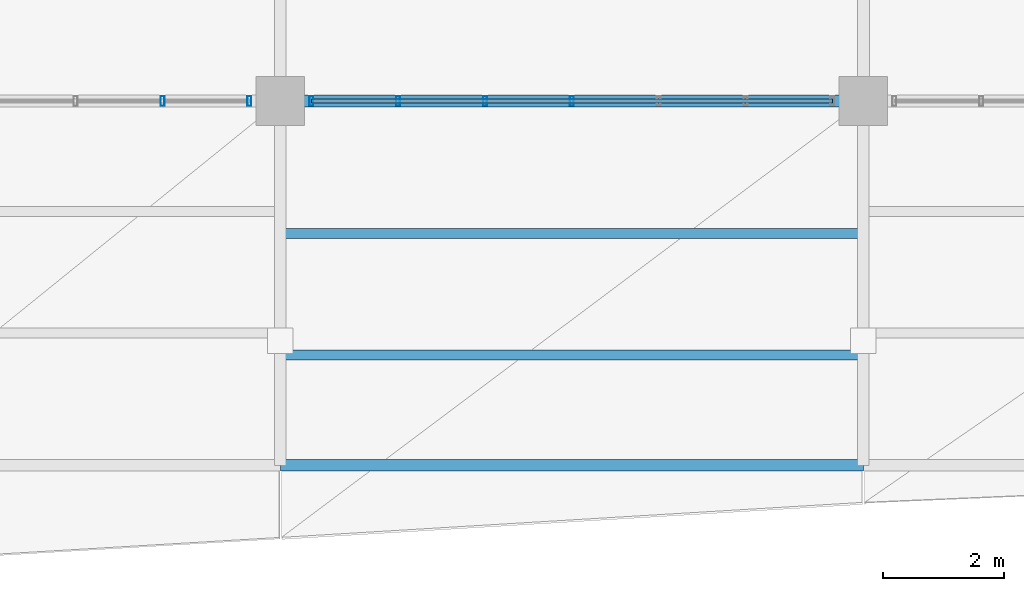
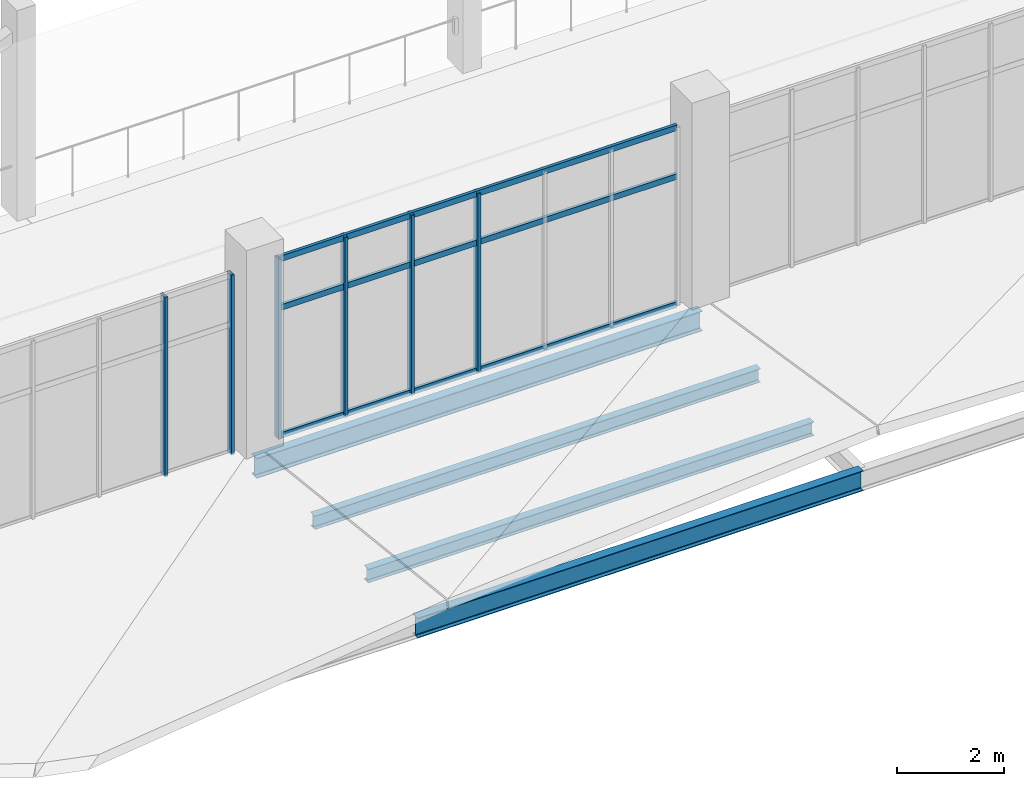
# One storey, part 50 of 157: 9 members, 4 beams, 2 elements without a shape of their own.
"""IFC4 building model written with IfcOpenShell, lengths in metres."""

from ifc_helpers import new_model, si_unit, direction, frame, origin, origin_2d, place, context, subcontext, project, spatial, hollow_rectangle, i_section, extrude, material, layer, layer_set, material_profile, profile_set, type_object, element, aggregate, save


model = new_model("IFC4")

# Units and contexts
model_context = context("Model", 3, precision=1e-05, world=origin(), true_north=direction((0.0, 1.0)))
body_context = subcontext(model_context, "Body", "Model", "MODEL_VIEW")
ifc_project = project(units=[si_unit("LENGTHUNIT", "METRE"), si_unit("AREAUNIT", "SQUARE_METRE"), si_unit("VOLUMEUNIT", "CUBIC_METRE"), si_unit("PLANEANGLEUNIT", "RADIAN"), si_unit("MASSUNIT", "GRAM", prefix="KILO")], contexts=[model_context])

# Site, building, storey
site_placement = place(None, origin())
site = spatial("IfcSite", under=ifc_project, at=site_placement, CompositionType="ELEMENT")
building_placement = place(site_placement, origin())
building = spatial("IfcBuilding", under=site, at=building_placement, Name="Chalmorin Arch Market", CompositionType="ELEMENT")
storey_placement = place(building_placement, frame((0.0, 0.0, 4.800048828125)))
storey = spatial("IfcBuildingStorey", under=building, at=storey_placement, Name="L01", CompositionType="ELEMENT", Elevation=4.800048828125)

# Curtain wall, members
ifc_material_1 = material(Name="Aluminium 6063-T6", Category="aluminium")
ifc_layer = layer(ifc_material_1, 0.159912109375)
ifc_layer_set = layer_set([ifc_layer], Name="Aluminium 6063-T6")
curtain_wall_type = type_object("IfcCurtainWallType", Name="MarketClerestoryCurtainWall-CW1-8580x4100", PredefinedType="NOTDEFINED", material=ifc_layer_set)
curtain_wall_1_placement = place(storey_placement, origin())
curtain_wall_1 = element("IfcCurtainWall", 1, at=curtain_wall_1_placement, inside=storey, type_object=curtain_wall_type, Name="CW-01-011", PredefinedType="NOTDEFINED")
ifc_material_profile_1 = material_profile(ifc_material_1, hollow_rectangle(XDim=0.06494140625, YDim=0.159912109375, WallThickness=0.00390625, at=origin_2d()), Name="ALU65X160X4")
ifc_profile_set_1 = profile_set([ifc_material_profile_1], Name="Aluminium 6063-T6")
member_type_1 = type_object("IfcMemberType", Name="CurtainWallMullion-65x160", PredefinedType="MULLION", material=ifc_profile_set_1)
member_1_placement = place(storey_placement, frame((84.4599609375, 6.0, 0.0), z_axis=(0.0, 0.0, 1.0), x_axis=(1.0, 0.0, 0.0)))
member_1 = element("IfcMember", 2, at=member_1_placement, type_object=member_type_1, Name="ML-011-06", PredefinedType="MULLION", context=body_context, shape_type="SweptSolid", body=[
    extrude(hollow_rectangle(XDim=0.06494140625, YDim=0.159912109375, WallThickness=0.00390625, at=origin_2d()), origin(), (0.0, 0.0, 1.0), 4.095947265625),
])
member_2_placement = place(storey_placement, frame((85.889892578125, 6.0, 0.0), z_axis=(0.0, 0.0, 1.0), x_axis=(1.0, 0.0, 0.0)))
member_2 = element("IfcMember", 3, at=member_2_placement, type_object=member_type_1, Name="ML-011-07", PredefinedType="MULLION", context=body_context, shape_type="SweptSolid", body=[
    extrude(hollow_rectangle(XDim=0.06494140625, YDim=0.159912109375, WallThickness=0.00390625, at=origin_2d()), origin(), (0.0, 0.0, 1.0), 4.095947265625),
])
aggregate(curtain_wall_1, [member_1, member_2])

curtain_wall_2_placement = place(storey_placement, origin())
curtain_wall_2 = element("IfcCurtainWall", 4, at=curtain_wall_2_placement, inside=storey, type_object=curtain_wall_type, Name="CW-01-013", PredefinedType="NOTDEFINED")
member_3_placement = place(storey_placement, frame((86.909912109375, 6.0, 0.0), z_axis=(0.0, 0.0, 1.0), x_axis=(1.0, 0.0, 0.0)))
member_3 = element("IfcMember", 5, at=member_3_placement, type_object=member_type_1, Name="ML-013-01", PredefinedType="MULLION", context=body_context, shape_type="SweptSolid", body=[
    extrude(hollow_rectangle(XDim=0.06494140625, YDim=0.159912109375, WallThickness=0.00390625, at=origin_2d()), origin(), (0.0, 0.0, 1.0), 4.095947265625),
])
member_4_placement = place(storey_placement, frame((88.340087890625, 6.0, 0.0), z_axis=(0.0, 0.0, 1.0), x_axis=(1.0, 0.0, 0.0)))
member_4 = element("IfcMember", 6, at=member_4_placement, type_object=member_type_1, Name="ML-013-02", PredefinedType="MULLION", context=body_context, shape_type="SweptSolid", body=[
    extrude(hollow_rectangle(XDim=0.06494140625, YDim=0.159912109375, WallThickness=0.00390625, at=origin_2d()), origin(), (0.0, 0.0, 1.0), 4.095947265625),
])
member_5_placement = place(storey_placement, frame((89.77001953125, 6.0, 0.0), z_axis=(0.0, 0.0, 1.0), x_axis=(1.0, 0.0, 0.0)))
member_5 = element("IfcMember", 7, at=member_5_placement, type_object=member_type_1, Name="ML-013-03", PredefinedType="MULLION", context=body_context, shape_type="SweptSolid", body=[
    extrude(hollow_rectangle(XDim=0.06494140625, YDim=0.159912109375, WallThickness=0.00390625, at=origin_2d()), origin(), (0.0, 0.0, 1.0), 4.095947265625),
])
member_6_placement = place(storey_placement, frame((91.199951171875, 6.0, 0.0), z_axis=(0.0, 0.0, 1.0), x_axis=(1.0, 0.0, 0.0)))
member_6 = element("IfcMember", 8, at=member_6_placement, type_object=member_type_1, Name="ML-013-04", PredefinedType="MULLION", context=body_context, shape_type="SweptSolid", body=[
    extrude(hollow_rectangle(XDim=0.06494140625, YDim=0.159912109375, WallThickness=0.00390625, at=origin_2d()), origin(), (0.0, 0.0, 1.0), 4.095947265625),
])
ifc_material_profile_2 = material_profile(ifc_material_1, hollow_rectangle(XDim=0.06494140625, YDim=0.1298828125, WallThickness=0.00390625, at=origin_2d()), Name="ALU65X130X4")
ifc_profile_set_2 = profile_set([ifc_material_profile_2], Name="Aluminium 6063-T6")
member_type_2 = type_object("IfcMemberType", Name="CurtainWallTransom-65x130", PredefinedType="USERDEFINED", material=ifc_profile_set_2)
member_7_placement = place(storey_placement, frame((86.909912109375, 6.0, 0.034912109375), z_axis=(1.0, 0.0, 0.0), x_axis=(0.0, 1.0, 0.0)))
member_7 = element("IfcMember", 9, at=member_7_placement, type_object=member_type_2, Name="TR-013-01", ObjectType="TRANSOM", PredefinedType="USERDEFINED", context=body_context, shape_type="SweptSolid", body=[
    extrude(hollow_rectangle(XDim=0.06494140625, YDim=0.1298828125, WallThickness=0.00390625, at=origin_2d()), origin(), (0.0, 0.0, 1.0), 8.580078125),
])
member_8_placement = place(storey_placement, frame((86.909912109375, 6.0, 2.948974609375), z_axis=(1.0, 0.0, 0.0), x_axis=(0.0, 1.0, 0.0)))
member_8 = element("IfcMember", 10, at=member_8_placement, type_object=member_type_2, Name="TR-013-02", ObjectType="TRANSOM", PredefinedType="USERDEFINED", context=body_context, shape_type="SweptSolid", body=[
    extrude(hollow_rectangle(XDim=0.06494140625, YDim=0.1298828125, WallThickness=0.00390625, at=origin_2d()), origin(), (0.0, 0.0, 1.0), 8.580078125),
])
member_9_placement = place(storey_placement, frame((86.909912109375, 6.0, 4.06103515625), z_axis=(1.0, 0.0, 0.0), x_axis=(0.0, 1.0, 0.0)))
member_9 = element("IfcMember", 11, at=member_9_placement, type_object=member_type_2, Name="TR-013-03", ObjectType="TRANSOM", PredefinedType="USERDEFINED", context=body_context, shape_type="SweptSolid", body=[
    extrude(hollow_rectangle(XDim=0.06494140625, YDim=0.1298828125, WallThickness=0.00390625, at=origin_2d()), origin(), (0.0, 0.0, 1.0), 8.580078125),
])
aggregate(curtain_wall_2, [member_3, member_4, member_5, member_6, member_7, member_8, member_9])

# Beams
ifc_material_2 = material(Name="Steel A992 Grade 50", Category="steel")
ifc_material_profile_3 = material_profile(ifc_material_2, i_section(OverallWidth=0.19091796875, OverallDepth=0.45703125, WebThickness=0.009033203125, FlangeThickness=0.014404296875, FilletRadius=0.02001953125, at=origin_2d()), Name="W18X50")
ifc_profile_set_3 = profile_set([ifc_material_profile_3], Name="Steel A992 Grade 50")
beam_type_1 = type_object("IfcBeamType", Name="PerimeterSpandrelBeam-W18X50", PredefinedType="SPANDREL", material=ifc_profile_set_3)
for number, where, z_axis, x_axis, name in (
    (12, (86.39990234375, 6.0, -0.48046875), (1.0, 0.0, 0.0), (0.0, 1.0, 0.0), "SP-W18-0613"),
    (13, (86.39990234375, 0.0, -0.48046875), (1.0, 0.0, 0.0), (0.0, 1.0, 0.0), "SP-W18-1044"),
):
    element("IfcBeam", number, at=place(storey_placement, frame(where, z_axis=z_axis, x_axis=x_axis)), inside=storey, type_object=beam_type_1, Name=name, PredefinedType="SPANDREL", context=body_context, shape_type="SweptSolid", body=[
        extrude(i_section(OverallWidth=0.19091796875, OverallDepth=0.45703125, WebThickness=0.009033203125, FlangeThickness=0.014404296875, FilletRadius=0.02001953125, at=origin_2d()), origin(), (0.0, 0.0, 1.0), 9.60009765625),
    ])
ifc_material_profile_4 = material_profile(ifc_material_2, i_section(OverallWidth=0.1650390625, OverallDepth=0.31005859375, WebThickness=0.005859375, FlangeThickness=0.009765625, FilletRadius=0.014892578125, at=origin_2d()), Name="W12X26")
ifc_profile_set_4 = profile_set([ifc_material_profile_4], Name="Steel A992 Grade 50")
beam_type_2 = type_object("IfcBeamType", Name="SecondaryRoofJoist-W12X26", PredefinedType="JOIST", material=ifc_profile_set_4)
for number, where, z_axis, x_axis, name in (
    (14, (86.39990234375, 1.820068359375, -0.406982421875), (1.0, 0.0, 0.0), (0.0, 1.0, 0.0), "BJ-W12-1070"),
    (15, (86.39990234375, 3.820068359375, -0.406982421875), (1.0, 0.0, 0.0), (0.0, 1.0, 0.0), "BJ-W12-1071"),
):
    element("IfcBeam", number, at=place(storey_placement, frame(where, z_axis=z_axis, x_axis=x_axis)), inside=storey, type_object=beam_type_2, Name=name, PredefinedType="JOIST", context=body_context, shape_type="SweptSolid", body=[
        extrude(i_section(OverallWidth=0.1650390625, OverallDepth=0.31005859375, WebThickness=0.005859375, FlangeThickness=0.009765625, FilletRadius=0.014892578125, at=origin_2d()), origin(), (0.0, 0.0, 1.0), 9.60009765625),
    ])

save(model, "model.ifc")
